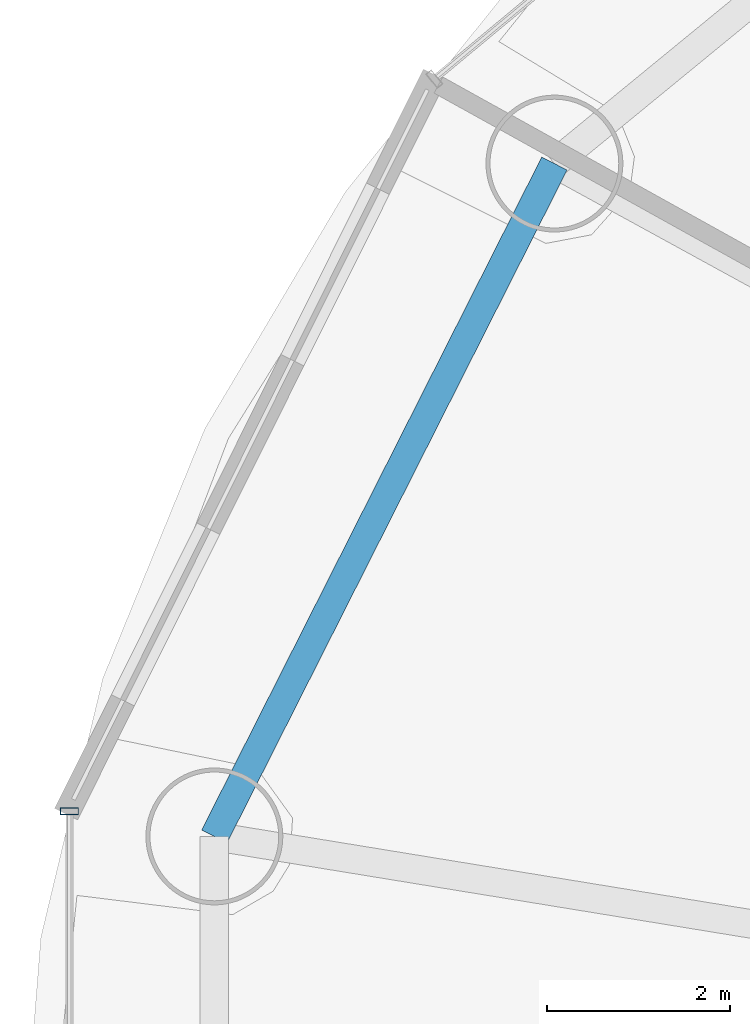
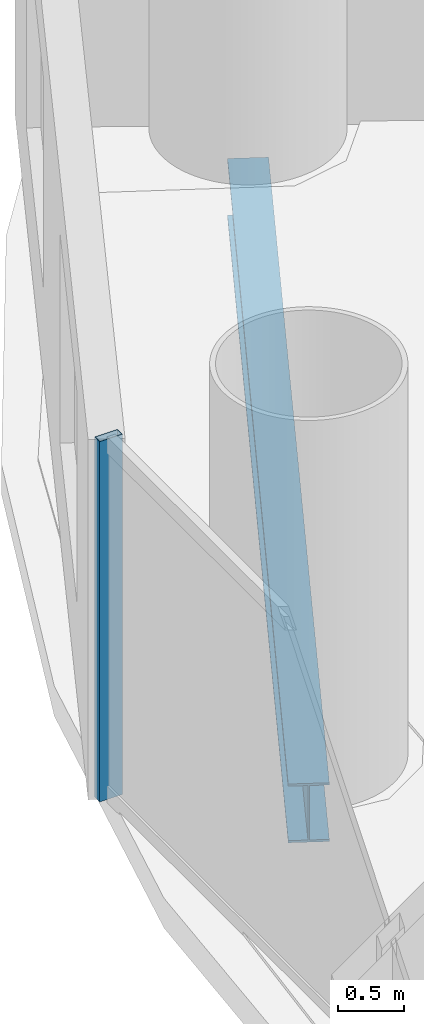
# One storey, part 8 of 28: 1 beam, 1 member, 1 element without a shape of its own.
"""IFC4 building model written with IfcOpenShell, lengths in metres."""

from ifc_helpers import new_model, si_unit, direction, frame, origin, origin_2d, place, context, subcontext, project, spatial, hollow_rectangle, i_section, extrude, source, transform, mapped, material, material_profile, profile_set, type_object, element, aggregate, save


model = new_model("IFC4")

# Units and contexts
model_context = context("Model", 3, precision=1e-05, world=origin(), true_north=direction((-0.2419218956, 0.970295726276)))
body_context = subcontext(model_context, "Body", "Model", "MODEL_VIEW")
ifc_project = project(units=[si_unit("LENGTHUNIT", "METRE"), si_unit("AREAUNIT", "SQUARE_METRE"), si_unit("VOLUMEUNIT", "CUBIC_METRE"), si_unit("PLANEANGLEUNIT", "RADIAN"), si_unit("MASSUNIT", "GRAM", prefix="KILO")], contexts=[model_context])

# Site, building, storey
site_placement = place(None, origin())
site = spatial("IfcSite", under=ifc_project, at=site_placement, CompositionType="ELEMENT")
building_placement = place(site_placement, origin())
building = spatial("IfcBuilding", under=site, at=building_placement, Name="Cobrevalo Terracotta Tower", CompositionType="ELEMENT")
storey_placement = place(building_placement, frame((0.0, 0.0, 101.39990234375)))
storey = spatial("IfcBuildingStorey", under=building, at=storey_placement, Name="L26", CompositionType="ELEMENT", Elevation=101.39990234375)

# Beam
ifc_material_1 = material(Name="Steel S355", Category="steel")
ifc_material_profile_1 = material_profile(ifc_material_1, i_section(OverallWidth=0.31201171875, OverallDepth=0.54296875, WebThickness=0.0126953125, FlangeThickness=0.020263671875, at=origin_2d()), Name="W 530x150")
ifc_profile_set_1 = profile_set([ifc_material_profile_1], Name="Steel S355")
beam_type = type_object("IfcBeamType", Name="Structural Spandrel W 530x150 (Steel S355)", PredefinedType="SPANDREL", material=ifc_profile_set_1)
beam_placement = place(storey_placement, frame((17.2548828125, 38.161376953125, -0.54638671875), z_axis=(-0.451051982172, -0.892497680321, 0.0), x_axis=(0.892497680321, -0.451051982172, 0.0)))
element("IfcBeam", 1, at=beam_placement, inside=storey, type_object=beam_type, Name="L26 perimeter ring spandrel 07", PredefinedType="SPANDREL", context=body_context, shape_type="SweptSolid", body=[
    extrude(i_section(OverallWidth=0.31201171875, OverallDepth=0.54296875, WebThickness=0.0126953125, FlangeThickness=0.020263671875, at=origin_2d()), origin(), (0.0, 0.0, 1.0), 8.259765625),
])

# Curtain wall, member
ifc_material_2 = material(Name="Anodized aluminium", Category="aluminium")
curtain_wall_type = type_object("IfcCurtainWallType", Name="Lower-tower unitised acoustic low-E curtain wall CW-U1", PredefinedType="NOTDEFINED", material=ifc_material_2)
curtain_wall_placement = place(storey_placement, origin())
curtain_wall = element("IfcCurtainWall", 2, at=curtain_wall_placement, inside=storey, type_object=curtain_wall_type, Name="L26 curtain wall CW-L26-S08", PredefinedType="NOTDEFINED")
ifc_material_profile_2 = material_profile(ifc_material_2, hollow_rectangle(XDim=0.074951171875, YDim=0.199951171875, WallThickness=0.0048828125, at=origin_2d()), Name="CWM 75x200")
ifc_profile_set_2 = profile_set([ifc_material_profile_2], Name="Anodized aluminium")
member_type = type_object("IfcMemberType", Name="Lower/mid tower unitised mullion 75x200", PredefinedType="MULLION", material=ifc_profile_set_2)
shared_shape = source(origin(), body_context, "Body", "SweptSolid", [
    extrude(hollow_rectangle(XDim=0.074951171875, YDim=0.199951171875, WallThickness=0.0048828125, at=origin_2d()), origin(), (0.0, 0.0, 1.0), 3.3251953125),
])
member_placement = place(storey_placement, frame((11.9404296875, 31.065673828125, 0.0), z_axis=(0.0, 0.0, 1.0), x_axis=(0.0, -1.0, 0.0)))
member = element("IfcMember", 3, at=member_placement, type_object=member_type, Name="CW-L26-S08 vertical mullion 01", PredefinedType="MULLION", context=body_context, shape_type="MappedRepresentation", body=[
    mapped(shared_shape, transform((0.0, 0.0, 0.0), scale=1.0)),
])
aggregate(curtain_wall, [member])

save(model, "model.ifc")
